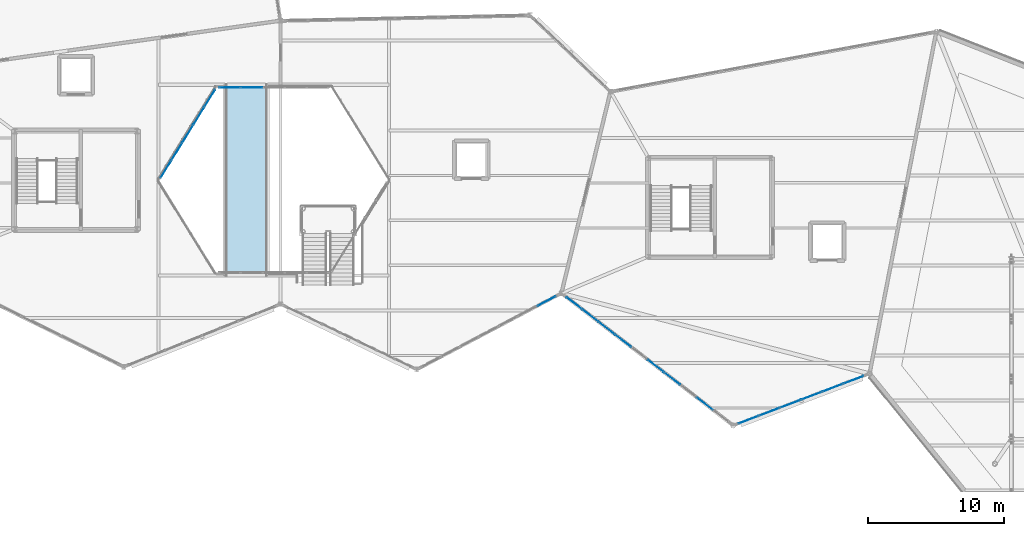
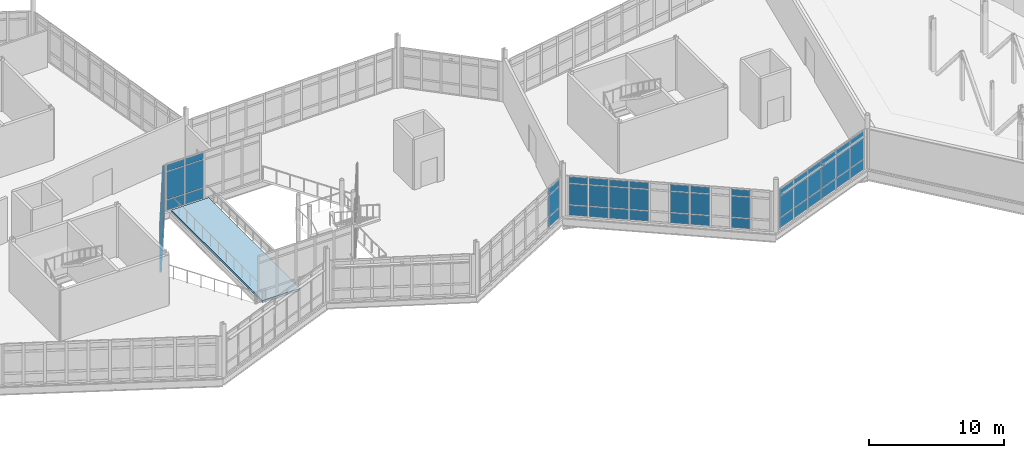
# One storey, part 72 of 114: 63 plates, 1 slab, 5 elements without a shape of their own.
"""IFC4 building model written with IfcOpenShell, lengths in metres."""

from ifc_helpers import new_model, si_unit, direction, frame, origin, origin_2d, place, context, subcontext, project, spatial, polyline, rectangle, outline, extrude, material, layer, layer_set, type_object, element, aggregate, save


model = new_model("IFC4")

# Units and contexts
model_context = context("Model", 3, precision=1e-05, world=origin(), true_north=direction((0.0, 1.0)))
body_context = subcontext(model_context, "Body", "Model", "MODEL_VIEW")
ifc_project = project(units=[si_unit("LENGTHUNIT", "METRE"), si_unit("AREAUNIT", "SQUARE_METRE"), si_unit("VOLUMEUNIT", "CUBIC_METRE"), si_unit("PLANEANGLEUNIT", "RADIAN"), si_unit("MASSUNIT", "GRAM", prefix="KILO")], contexts=[model_context])

# Site, building, storey
site_placement = place(None, origin())
site = spatial("IfcSite", under=ifc_project, at=site_placement, CompositionType="ELEMENT")
building_placement = place(site_placement, origin())
building = spatial("IfcBuilding", under=site, at=building_placement, Name="Tameran Prism Museum", CompositionType="ELEMENT")
storey_placement = place(building_placement, frame((0.0, 0.0, 10.199951171875)))
storey = spatial("IfcBuildingStorey", under=building, at=storey_placement, Name="L02", CompositionType="ELEMENT", Elevation=10.199951171875)

# Curtain wall, plates
ifc_material_1 = material(Name="Anodised Aluminium 6063-T6 and Cyclone Solar Glass", Category="aluminium")
curtain_wall_type_1 = type_object("IfcCurtainWallType", Name="CW-ATR-810x424", PredefinedType="USERDEFINED", material=ifc_material_1)
curtain_wall_1_placement = place(storey_placement, origin())
curtain_wall_1 = element("IfcCurtainWall", 1, at=curtain_wall_1_placement, inside=storey, type_object=curtain_wall_type_1, Name="Unitised Curtain Wall CW-009", ObjectType="UNITISED CURTAIN WALL", PredefinedType="USERDEFINED")
ifc_material_2 = material(Name="Low-E Laminated Solar Glass", Category="glass")
ifc_layer_1 = layer(ifc_material_2, 0.028076171875)
ifc_layer_set_1 = layer_set([ifc_layer_1])
plate_type_1 = type_object("IfcPlateType", Name="CW-PNL-G28", PredefinedType="CURTAIN_PANEL", material=ifc_layer_set_1)
plate_1_placement = place(storey_placement, frame((75.3798828125, 43.300048828125, 0.06494140625), z_axis=(0.0, 0.0, 1.0), x_axis=(-1.0, 0.0, 0.0)))
plate_1 = element("IfcPlate", 2, at=plate_1_placement, type_object=plate_type_1, Name="CW-009 panel 4.1", PredefinedType="CURTAIN_PANEL", context=body_context, shape_type="SweptSolid", body=[
    extrude(rectangle(XDim=1.554931640625, YDim=0.028076171875, at=origin_2d()), origin(), (0.0, 0.0, 1.0), 0.902587890625),
])
plate_2_placement = place(storey_placement, frame((75.3798828125, 43.300048828125, 1.032470703125), z_axis=(0.0, 0.0, 1.0), x_axis=(-1.0, 0.0, 0.0)))
plate_2 = element("IfcPlate", 3, at=plate_2_placement, type_object=plate_type_1, Name="CW-009 panel 4.2", PredefinedType="CURTAIN_PANEL", context=body_context, shape_type="SweptSolid", body=[
    extrude(rectangle(XDim=1.554931640625, YDim=0.028076171875, at=origin_2d()), origin(), (0.0, 0.0, 1.0), 2.4951171875),
])
plate_3_placement = place(storey_placement, frame((75.3798828125, 43.300048828125, 3.592529296875), z_axis=(0.0, 0.0, 1.0), x_axis=(-1.0, 0.0, 0.0)))
plate_3 = element("IfcPlate", 4, at=plate_3_placement, type_object=plate_type_1, Name="CW-009 panel 4.3", PredefinedType="CURTAIN_PANEL", context=body_context, shape_type="SweptSolid", body=[
    extrude(rectangle(XDim=1.554931640625, YDim=0.028076171875, at=origin_2d()), origin(), (0.0, 0.0, 1.0), 0.58251953125),
])
plate_4_placement = place(storey_placement, frame((73.7763671875, 43.300048828125, 0.06494140625), z_axis=(0.0, 0.0, 1.0), x_axis=(-1.0, 0.0, 0.0)))
plate_4 = element("IfcPlate", 5, at=plate_4_placement, type_object=plate_type_1, Name="CW-009 panel 5.1", PredefinedType="CURTAIN_PANEL", context=body_context, shape_type="SweptSolid", body=[
    extrude(rectangle(XDim=1.5224609375, YDim=0.028076171875, at=origin_2d()), origin(), (0.0, 0.0, 1.0), 0.902587890625),
])
plate_5_placement = place(storey_placement, frame((73.7763671875, 43.300048828125, 1.032470703125), z_axis=(0.0, 0.0, 1.0), x_axis=(-1.0, 0.0, 0.0)))
plate_5 = element("IfcPlate", 6, at=plate_5_placement, type_object=plate_type_1, Name="CW-009 panel 5.2", PredefinedType="CURTAIN_PANEL", context=body_context, shape_type="SweptSolid", body=[
    extrude(rectangle(XDim=1.5224609375, YDim=0.028076171875, at=origin_2d()), origin(), (0.0, 0.0, 1.0), 2.4951171875),
])
plate_6_placement = place(storey_placement, frame((73.7763671875, 43.300048828125, 3.592529296875), z_axis=(0.0, 0.0, 1.0), x_axis=(-1.0, 0.0, 0.0)))
plate_6 = element("IfcPlate", 7, at=plate_6_placement, type_object=plate_type_1, Name="CW-009 panel 5.3", PredefinedType="CURTAIN_PANEL", context=body_context, shape_type="SweptSolid", body=[
    extrude(rectangle(XDim=1.5224609375, YDim=0.028076171875, at=origin_2d()), origin(), (0.0, 0.0, 1.0), 0.58251953125),
])
aggregate(curtain_wall_1, [plate_1, plate_2, plate_3, plate_4, plate_5, plate_6])

ifc_material_3 = material(Name="Anodised Aluminium 6063-T6 and Cyclone Solar Glass", Category="aluminium")
curtain_wall_type_2 = type_object("IfcCurtainWallType", Name="CW-ATR-769x424", PredefinedType="USERDEFINED", material=ifc_material_3)
curtain_wall_2_placement = place(storey_placement, origin())
curtain_wall_2 = element("IfcCurtainWall", 8, at=curtain_wall_2_placement, inside=storey, type_object=curtain_wall_type_2, Name="Unitised Curtain Wall CW-010", ObjectType="UNITISED CURTAIN WALL", PredefinedType="USERDEFINED")
plate_7_placement = place(storey_placement, frame((72.308349609375, 42.503662109375, 0.06494140625), z_axis=(0.0, 0.0, 1.0), x_axis=(-0.525503952357, -0.850791158897, 0.0)))
plate_7 = element("IfcPlate", 9, at=plate_7_placement, type_object=plate_type_1, Name="CW-010 panel 1.1", PredefinedType="CURTAIN_PANEL", context=body_context, shape_type="SweptSolid", body=[
    extrude(rectangle(XDim=1.44091796875, YDim=0.028076171875, at=origin_2d()), origin(), (0.0, 0.0, 1.0), 0.902587890625),
])
plate_8_placement = place(storey_placement, frame((72.308349609375, 42.503662109375, 1.032470703125), z_axis=(0.0, 0.0, 1.0), x_axis=(-0.525503952357, -0.850791158897, 0.0)))
plate_8 = element("IfcPlate", 10, at=plate_8_placement, type_object=plate_type_1, Name="CW-010 panel 1.2", PredefinedType="CURTAIN_PANEL", context=body_context, shape_type="SweptSolid", body=[
    extrude(rectangle(XDim=1.44091796875, YDim=0.028076171875, at=origin_2d()), origin(), (0.0, 0.0, 1.0), 2.4951171875),
])
plate_9_placement = place(storey_placement, frame((72.308349609375, 42.503662109375, 3.592529296875), z_axis=(0.0, 0.0, 1.0), x_axis=(-0.525503952357, -0.850791158897, 0.0)))
plate_9 = element("IfcPlate", 11, at=plate_9_placement, type_object=plate_type_1, Name="CW-010 panel 1.3", PredefinedType="CURTAIN_PANEL", context=body_context, shape_type="SweptSolid", body=[
    extrude(rectangle(XDim=1.44091796875, YDim=0.028076171875, at=origin_2d()), origin(), (0.0, 0.0, 1.0), 0.58251953125),
])
plate_10_placement = place(storey_placement, frame((71.50830078125, 41.208740234375, 0.06494140625), z_axis=(0.0, 0.0, 1.0), x_axis=(-0.525503952357, -0.850791158897, 0.0)))
plate_10 = element("IfcPlate", 12, at=plate_10_placement, type_object=plate_type_1, Name="CW-010 panel 2.1", PredefinedType="CURTAIN_PANEL", context=body_context, shape_type="SweptSolid", body=[
    extrude(rectangle(XDim=1.473388671875, YDim=0.028076171875, at=origin_2d()), origin(), (0.0, 0.0, 1.0), 0.902587890625),
])
plate_11_placement = place(storey_placement, frame((71.50830078125, 41.208740234375, 1.032470703125), z_axis=(0.0, 0.0, 1.0), x_axis=(-0.525503952357, -0.850791158897, 0.0)))
plate_11 = element("IfcPlate", 13, at=plate_11_placement, type_object=plate_type_1, Name="CW-010 panel 2.2", PredefinedType="CURTAIN_PANEL", context=body_context, shape_type="SweptSolid", body=[
    extrude(rectangle(XDim=1.473388671875, YDim=0.028076171875, at=origin_2d()), origin(), (0.0, 0.0, 1.0), 2.4951171875),
])
plate_12_placement = place(storey_placement, frame((71.50830078125, 41.208740234375, 3.592529296875), z_axis=(0.0, 0.0, 1.0), x_axis=(-0.525503952357, -0.850791158897, 0.0)))
plate_12 = element("IfcPlate", 14, at=plate_12_placement, type_object=plate_type_1, Name="CW-010 panel 2.3", PredefinedType="CURTAIN_PANEL", context=body_context, shape_type="SweptSolid", body=[
    extrude(rectangle(XDim=1.473388671875, YDim=0.028076171875, at=origin_2d()), origin(), (0.0, 0.0, 1.0), 0.58251953125),
])
plate_13_placement = place(storey_placement, frame((70.699951171875, 39.89990234375, 0.06494140625), z_axis=(0.0, 0.0, 1.0), x_axis=(-0.525503952357, -0.850791158897, 0.0)))
plate_13 = element("IfcPlate", 15, at=plate_13_placement, type_object=plate_type_1, Name="CW-010 panel 3.1", PredefinedType="CURTAIN_PANEL", context=body_context, shape_type="SweptSolid", body=[
    extrude(rectangle(XDim=1.473388671875, YDim=0.028076171875, at=origin_2d()), origin(), (0.0, 0.0, 1.0), 0.902587890625),
])
plate_14_placement = place(storey_placement, frame((70.699951171875, 39.89990234375, 1.032470703125), z_axis=(0.0, 0.0, 1.0), x_axis=(-0.525503952357, -0.850791158897, 0.0)))
plate_14 = element("IfcPlate", 16, at=plate_14_placement, type_object=plate_type_1, Name="CW-010 panel 3.2", PredefinedType="CURTAIN_PANEL", context=body_context, shape_type="SweptSolid", body=[
    extrude(rectangle(XDim=1.473388671875, YDim=0.028076171875, at=origin_2d()), origin(), (0.0, 0.0, 1.0), 2.4951171875),
])
plate_15_placement = place(storey_placement, frame((70.699951171875, 39.89990234375, 3.592529296875), z_axis=(0.0, 0.0, 1.0), x_axis=(-0.525503952357, -0.850791158897, 0.0)))
plate_15 = element("IfcPlate", 17, at=plate_15_placement, type_object=plate_type_1, Name="CW-010 panel 3.3", PredefinedType="CURTAIN_PANEL", context=body_context, shape_type="SweptSolid", body=[
    extrude(rectangle(XDim=1.473388671875, YDim=0.028076171875, at=origin_2d()), origin(), (0.0, 0.0, 1.0), 0.58251953125),
])
plate_16_placement = place(storey_placement, frame((69.8916015625, 38.59130859375, 0.06494140625), z_axis=(0.0, 0.0, 1.0), x_axis=(-0.525503952357, -0.850791158897, 0.0)))
plate_16 = element("IfcPlate", 18, at=plate_16_placement, type_object=plate_type_1, Name="CW-010 panel 4.1", PredefinedType="CURTAIN_PANEL", context=body_context, shape_type="SweptSolid", body=[
    extrude(rectangle(XDim=1.473388671875, YDim=0.028076171875, at=origin_2d()), origin(), (0.0, 0.0, 1.0), 0.902587890625),
])
plate_17_placement = place(storey_placement, frame((69.8916015625, 38.59130859375, 1.032470703125), z_axis=(0.0, 0.0, 1.0), x_axis=(-0.525503952357, -0.850791158897, 0.0)))
plate_17 = element("IfcPlate", 19, at=plate_17_placement, type_object=plate_type_1, Name="CW-010 panel 4.2", PredefinedType="CURTAIN_PANEL", context=body_context, shape_type="SweptSolid", body=[
    extrude(rectangle(XDim=1.473388671875, YDim=0.028076171875, at=origin_2d()), origin(), (0.0, 0.0, 1.0), 2.4951171875),
])
plate_18_placement = place(storey_placement, frame((69.8916015625, 38.59130859375, 3.592529296875), z_axis=(0.0, 0.0, 1.0), x_axis=(-0.525503952357, -0.850791158897, 0.0)))
plate_18 = element("IfcPlate", 20, at=plate_18_placement, type_object=plate_type_1, Name="CW-010 panel 4.3", PredefinedType="CURTAIN_PANEL", context=body_context, shape_type="SweptSolid", body=[
    extrude(rectangle(XDim=1.473388671875, YDim=0.028076171875, at=origin_2d()), origin(), (0.0, 0.0, 1.0), 0.58251953125),
])
plate_19_placement = place(storey_placement, frame((69.091796875, 37.296142578125, 0.06494140625), z_axis=(0.0, 0.0, 1.0), x_axis=(-0.525503952357, -0.850791158897, 0.0)))
plate_19 = element("IfcPlate", 21, at=plate_19_placement, type_object=plate_type_1, Name="CW-010 panel 5.1", PredefinedType="CURTAIN_PANEL", context=body_context, shape_type="SweptSolid", body=[
    extrude(rectangle(XDim=1.44091796875, YDim=0.028076171875, at=origin_2d()), origin(), (0.0, 0.0, 1.0), 0.902587890625),
])
plate_20_placement = place(storey_placement, frame((69.091796875, 37.296142578125, 1.032470703125), z_axis=(0.0, 0.0, 1.0), x_axis=(-0.525503952357, -0.850791158897, 0.0)))
plate_20 = element("IfcPlate", 22, at=plate_20_placement, type_object=plate_type_1, Name="CW-010 panel 5.2", PredefinedType="CURTAIN_PANEL", context=body_context, shape_type="SweptSolid", body=[
    extrude(rectangle(XDim=1.44091796875, YDim=0.028076171875, at=origin_2d()), origin(), (0.0, 0.0, 1.0), 2.4951171875),
])
plate_21_placement = place(storey_placement, frame((69.091796875, 37.296142578125, 3.592529296875), z_axis=(0.0, 0.0, 1.0), x_axis=(-0.525503952357, -0.850791158897, 0.0)))
plate_21 = element("IfcPlate", 23, at=plate_21_placement, type_object=plate_type_1, Name="CW-010 panel 5.3", PredefinedType="CURTAIN_PANEL", context=body_context, shape_type="SweptSolid", body=[
    extrude(rectangle(XDim=1.44091796875, YDim=0.028076171875, at=origin_2d()), origin(), (0.0, 0.0, 1.0), 0.58251953125),
])
aggregate(curtain_wall_2, [plate_7, plate_8, plate_9, plate_10, plate_11, plate_12, plate_13, plate_14, plate_15, plate_16, plate_17, plate_18, plate_19, plate_20, plate_21])

ifc_material_4 = material(Name="Anodised Aluminium 6063-T6 and Cyclone Solar Glass", Category="aluminium")
curtain_wall_type_3 = type_object("IfcCurtainWallType", Name="CW-FAC-1123x362", PredefinedType="USERDEFINED", material=ifc_material_4)
curtain_wall_3_placement = place(storey_placement, origin())
curtain_wall_3 = element("IfcCurtainWall", 24, at=curtain_wall_3_placement, inside=storey, type_object=curtain_wall_type_3, Name="Unitised Curtain Wall CW-110", ObjectType="UNITISED CURTAIN WALL", PredefinedType="USERDEFINED")
plate_22_placement = place(storey_placement, frame((97.010986328125, 27.625, 0.080078125), z_axis=(0.0, 0.0, 1.0), x_axis=(-0.884175340483, -0.467155185438, 0.0)))
plate_22 = element("IfcPlate", 25, at=plate_22_placement, type_object=plate_type_1, Name="CW-110 panel 1.1", PredefinedType="CURTAIN_PANEL", context=body_context, shape_type="SweptSolid", body=[
    extrude(rectangle(XDim=1.484130859375, YDim=0.028076171875, at=origin_2d()), origin(), (0.0, 0.0, 1.0), 0.8798828125),
])
plate_23_placement = place(storey_placement, frame((97.010986328125, 27.625, 1.0400390625), z_axis=(0.0, 0.0, 1.0), x_axis=(-0.884175340483, -0.467155185438, 0.0)))
plate_23 = element("IfcPlate", 26, at=plate_23_placement, type_object=plate_type_1, Name="CW-110 panel 1.2", PredefinedType="CURTAIN_PANEL", context=body_context, shape_type="SweptSolid", body=[
    extrude(rectangle(XDim=1.484130859375, YDim=0.028076171875, at=origin_2d()), origin(), (0.0, 0.0, 1.0), 1.860107421875),
])
plate_24_placement = place(storey_placement, frame((97.010986328125, 27.625, 2.97998046875), z_axis=(0.0, 0.0, 1.0), x_axis=(-0.884175340483, -0.467155185438, 0.0)))
plate_24 = element("IfcPlate", 27, at=plate_24_placement, type_object=plate_type_1, Name="CW-110 panel 1.3", PredefinedType="CURTAIN_PANEL", context=body_context, shape_type="SweptSolid", body=[
    extrude(rectangle(XDim=1.484130859375, YDim=0.028076171875, at=origin_2d()), origin(), (0.0, 0.0, 1.0), 0.56005859375),
])
aggregate(curtain_wall_3, [plate_22, plate_23, plate_24])

ifc_material_5 = material(Name="Anodised Aluminium 6063-T6 and Cyclone Solar Glass", Category="aluminium")
curtain_wall_type_4 = type_object("IfcCurtainWallType", Name="CW-FAC-994x362", PredefinedType="USERDEFINED", material=ifc_material_5)
curtain_wall_4_placement = place(storey_placement, origin())
curtain_wall_4 = element("IfcCurtainWall", 28, at=curtain_wall_4_placement, inside=storey, type_object=curtain_wall_type_4, Name="Unitised Curtain Wall CW-117", ObjectType="UNITISED CURTAIN WALL", PredefinedType="USERDEFINED")
plate_25_placement = place(storey_placement, frame((119.525390625, 21.85400390625, 0.0751953125), z_axis=(0.0, 0.0, 1.0), x_axis=(-0.934756849189, -0.355288098442, 0.0)))
plate_25 = element("IfcPlate", 29, at=plate_25_placement, type_object=plate_type_1, Name="CW-117 panel 1.1", PredefinedType="CURTAIN_PANEL", context=body_context, shape_type="SweptSolid", body=[
    extrude(rectangle(XDim=1.5439453125, YDim=0.028076171875, at=origin_2d()), origin(), (0.0, 0.0, 1.0), 0.887451171875),
])
plate_26_placement = place(storey_placement, frame((119.525390625, 21.85400390625, 1.03759765625), z_axis=(0.0, 0.0, 1.0), x_axis=(-0.934756849189, -0.355288098442, 0.0)))
plate_26 = element("IfcPlate", 30, at=plate_26_placement, type_object=plate_type_1, Name="CW-117 panel 1.2", PredefinedType="CURTAIN_PANEL", context=body_context, shape_type="SweptSolid", body=[
    extrude(rectangle(XDim=1.5439453125, YDim=0.028076171875, at=origin_2d()), origin(), (0.0, 0.0, 1.0), 1.864990234375),
])
plate_27_placement = place(storey_placement, frame((119.525390625, 21.85400390625, 2.9775390625), z_axis=(0.0, 0.0, 1.0), x_axis=(-0.934756849189, -0.355288098442, 0.0)))
plate_27 = element("IfcPlate", 31, at=plate_27_placement, type_object=plate_type_1, Name="CW-117 panel 1.3", PredefinedType="CURTAIN_PANEL", context=body_context, shape_type="SweptSolid", body=[
    extrude(rectangle(XDim=1.5439453125, YDim=0.028076171875, at=origin_2d()), origin(), (0.0, 0.0, 1.0), 0.5673828125),
])
plate_28_placement = place(storey_placement, frame((117.994384765625, 21.272216796875, 0.0751953125), z_axis=(0.0, 0.0, 1.0), x_axis=(-0.934756849189, -0.355288098442, 0.0)))
plate_28 = element("IfcPlate", 32, at=plate_28_placement, type_object=plate_type_1, Name="CW-117 panel 2.1", PredefinedType="CURTAIN_PANEL", context=body_context, shape_type="SweptSolid", body=[
    extrude(rectangle(XDim=1.581298828125, YDim=0.028076171875, at=origin_2d()), origin(), (0.0, 0.0, 1.0), 0.887451171875),
])
plate_29_placement = place(storey_placement, frame((117.994384765625, 21.272216796875, 1.03759765625), z_axis=(0.0, 0.0, 1.0), x_axis=(-0.934756849189, -0.355288098442, 0.0)))
plate_29 = element("IfcPlate", 33, at=plate_29_placement, type_object=plate_type_1, Name="CW-117 panel 2.2", PredefinedType="CURTAIN_PANEL", context=body_context, shape_type="SweptSolid", body=[
    extrude(rectangle(XDim=1.581298828125, YDim=0.028076171875, at=origin_2d()), origin(), (0.0, 0.0, 1.0), 1.864990234375),
])
plate_30_placement = place(storey_placement, frame((117.994384765625, 21.272216796875, 2.9775390625), z_axis=(0.0, 0.0, 1.0), x_axis=(-0.934756849189, -0.355288098442, 0.0)))
plate_30 = element("IfcPlate", 34, at=plate_30_placement, type_object=plate_type_1, Name="CW-117 panel 2.3", PredefinedType="CURTAIN_PANEL", context=body_context, shape_type="SweptSolid", body=[
    extrude(rectangle(XDim=1.581298828125, YDim=0.028076171875, at=origin_2d()), origin(), (0.0, 0.0, 1.0), 0.5673828125),
])
plate_31_placement = place(storey_placement, frame((116.446044921875, 20.683837890625, 0.0751953125), z_axis=(0.0, 0.0, 1.0), x_axis=(-0.934756849189, -0.355288098442, 0.0)))
plate_31 = element("IfcPlate", 35, at=plate_31_placement, type_object=plate_type_1, Name="CW-117 panel 3.1", PredefinedType="CURTAIN_PANEL", context=body_context, shape_type="SweptSolid", body=[
    extrude(rectangle(XDim=1.581298828125, YDim=0.028076171875, at=origin_2d()), origin(), (0.0, 0.0, 1.0), 0.887451171875),
])
plate_32_placement = place(storey_placement, frame((116.446044921875, 20.683837890625, 1.03759765625), z_axis=(0.0, 0.0, 1.0), x_axis=(-0.934756849189, -0.355288098442, 0.0)))
plate_32 = element("IfcPlate", 36, at=plate_32_placement, type_object=plate_type_1, Name="CW-117 panel 3.2", PredefinedType="CURTAIN_PANEL", context=body_context, shape_type="SweptSolid", body=[
    extrude(rectangle(XDim=1.581298828125, YDim=0.028076171875, at=origin_2d()), origin(), (0.0, 0.0, 1.0), 1.864990234375),
])
plate_33_placement = place(storey_placement, frame((116.446044921875, 20.683837890625, 2.9775390625), z_axis=(0.0, 0.0, 1.0), x_axis=(-0.934756849189, -0.355288098442, 0.0)))
plate_33 = element("IfcPlate", 37, at=plate_33_placement, type_object=plate_type_1, Name="CW-117 panel 3.3", PredefinedType="CURTAIN_PANEL", context=body_context, shape_type="SweptSolid", body=[
    extrude(rectangle(XDim=1.581298828125, YDim=0.028076171875, at=origin_2d()), origin(), (0.0, 0.0, 1.0), 0.5673828125),
])
plate_34_placement = place(storey_placement, frame((114.89794921875, 20.09521484375, 0.0751953125), z_axis=(0.0, 0.0, 1.0), x_axis=(-0.934756849189, -0.355288098442, 0.0)))
plate_34 = element("IfcPlate", 38, at=plate_34_placement, type_object=plate_type_1, Name="CW-117 panel 4.1", PredefinedType="CURTAIN_PANEL", context=body_context, shape_type="SweptSolid", body=[
    extrude(rectangle(XDim=1.581298828125, YDim=0.028076171875, at=origin_2d()), origin(), (0.0, 0.0, 1.0), 0.887451171875),
])
plate_35_placement = place(storey_placement, frame((114.89794921875, 20.09521484375, 1.03759765625), z_axis=(0.0, 0.0, 1.0), x_axis=(-0.934756849189, -0.355288098442, 0.0)))
plate_35 = element("IfcPlate", 39, at=plate_35_placement, type_object=plate_type_1, Name="CW-117 panel 4.2", PredefinedType="CURTAIN_PANEL", context=body_context, shape_type="SweptSolid", body=[
    extrude(rectangle(XDim=1.581298828125, YDim=0.028076171875, at=origin_2d()), origin(), (0.0, 0.0, 1.0), 1.864990234375),
])
plate_36_placement = place(storey_placement, frame((114.89794921875, 20.09521484375, 2.9775390625), z_axis=(0.0, 0.0, 1.0), x_axis=(-0.934756849189, -0.355288098442, 0.0)))
plate_36 = element("IfcPlate", 40, at=plate_36_placement, type_object=plate_type_1, Name="CW-117 panel 4.3", PredefinedType="CURTAIN_PANEL", context=body_context, shape_type="SweptSolid", body=[
    extrude(rectangle(XDim=1.581298828125, YDim=0.028076171875, at=origin_2d()), origin(), (0.0, 0.0, 1.0), 0.5673828125),
])
plate_37_placement = place(storey_placement, frame((113.349609375, 19.5068359375, 0.0751953125), z_axis=(0.0, 0.0, 1.0), x_axis=(-0.934756849189, -0.355288098442, 0.0)))
plate_37 = element("IfcPlate", 41, at=plate_37_placement, type_object=plate_type_1, Name="CW-117 panel 5.1", PredefinedType="CURTAIN_PANEL", context=body_context, shape_type="SweptSolid", body=[
    extrude(rectangle(XDim=1.581298828125, YDim=0.028076171875, at=origin_2d()), origin(), (0.0, 0.0, 1.0), 0.887451171875),
])
plate_38_placement = place(storey_placement, frame((113.349609375, 19.5068359375, 1.03759765625), z_axis=(0.0, 0.0, 1.0), x_axis=(-0.934756849189, -0.355288098442, 0.0)))
plate_38 = element("IfcPlate", 42, at=plate_38_placement, type_object=plate_type_1, Name="CW-117 panel 5.2", PredefinedType="CURTAIN_PANEL", context=body_context, shape_type="SweptSolid", body=[
    extrude(rectangle(XDim=1.581298828125, YDim=0.028076171875, at=origin_2d()), origin(), (0.0, 0.0, 1.0), 1.864990234375),
])
plate_39_placement = place(storey_placement, frame((113.349609375, 19.5068359375, 2.9775390625), z_axis=(0.0, 0.0, 1.0), x_axis=(-0.934756849189, -0.355288098442, 0.0)))
plate_39 = element("IfcPlate", 43, at=plate_39_placement, type_object=plate_type_1, Name="CW-117 panel 5.3", PredefinedType="CURTAIN_PANEL", context=body_context, shape_type="SweptSolid", body=[
    extrude(rectangle(XDim=1.581298828125, YDim=0.028076171875, at=origin_2d()), origin(), (0.0, 0.0, 1.0), 0.5673828125),
])
plate_40_placement = place(storey_placement, frame((111.818603515625, 18.9248046875, 0.0751953125), z_axis=(0.0, 0.0, 1.0), x_axis=(-0.934756849189, -0.355288098442, 0.0)))
plate_40 = element("IfcPlate", 44, at=plate_40_placement, type_object=plate_type_1, Name="CW-117 panel 6.1", PredefinedType="CURTAIN_PANEL", context=body_context, shape_type="SweptSolid", body=[
    extrude(rectangle(XDim=1.5439453125, YDim=0.028076171875, at=origin_2d()), origin(), (0.0, 0.0, 1.0), 0.887451171875),
])
plate_41_placement = place(storey_placement, frame((111.818603515625, 18.9248046875, 1.03759765625), z_axis=(0.0, 0.0, 1.0), x_axis=(-0.934756849189, -0.355288098442, 0.0)))
plate_41 = element("IfcPlate", 45, at=plate_41_placement, type_object=plate_type_1, Name="CW-117 panel 6.2", PredefinedType="CURTAIN_PANEL", context=body_context, shape_type="SweptSolid", body=[
    extrude(rectangle(XDim=1.5439453125, YDim=0.028076171875, at=origin_2d()), origin(), (0.0, 0.0, 1.0), 1.864990234375),
])
plate_42_placement = place(storey_placement, frame((111.818603515625, 18.9248046875, 2.9775390625), z_axis=(0.0, 0.0, 1.0), x_axis=(-0.934756849189, -0.355288098442, 0.0)))
plate_42 = element("IfcPlate", 46, at=plate_42_placement, type_object=plate_type_1, Name="CW-117 panel 6.3", PredefinedType="CURTAIN_PANEL", context=body_context, shape_type="SweptSolid", body=[
    extrude(rectangle(XDim=1.5439453125, YDim=0.028076171875, at=origin_2d()), origin(), (0.0, 0.0, 1.0), 0.5673828125),
])
aggregate(curtain_wall_4, [plate_25, plate_26, plate_27, plate_28, plate_29, plate_30, plate_31, plate_32, plate_33, plate_34, plate_35, plate_36, plate_37, plate_38, plate_39, plate_40, plate_41, plate_42])

ifc_material_6 = material(Name="Anodised Aluminium 6063-T6 and Cyclone Solar Glass", Category="aluminium")
curtain_wall_type_5 = type_object("IfcCurtainWallType", Name="CW-FAC-1514x362", PredefinedType="USERDEFINED", material=ifc_material_6)
curtain_wall_5_placement = place(storey_placement, origin())
curtain_wall_5 = element("IfcCurtainWall", 47, at=curtain_wall_5_placement, inside=storey, type_object=curtain_wall_type_5, Name="Unitised Curtain Wall CW-116", ObjectType="UNITISED CURTAIN WALL", PredefinedType="USERDEFINED")
ifc_material_7 = material(Name="Cyclone Laminated Solar Glass", Category="glass")
ifc_layer_2 = layer(ifc_material_7, 0.031982421875)
ifc_layer_set_2 = layer_set([ifc_layer_2])
plate_type_2 = type_object("IfcPlateType", Name="CW-PNL-G32", PredefinedType="CURTAIN_PANEL", material=ifc_layer_set_2)
plate_43_placement = place(storey_placement, frame((108.623046875, 20.0986328125, 0.070068359375), z_axis=(0.0, 0.0, 1.0), x_axis=(-0.79240053299, 0.610001143702, 0.0)))
plate_43 = element("IfcPlate", 48, at=plate_43_placement, type_object=plate_type_2, Name="CW-116 panel 2.1", PredefinedType="CURTAIN_PANEL", context=body_context, shape_type="SweptSolid", body=[
    extrude(rectangle(XDim=1.4443359375, YDim=0.031982421875, at=origin_2d()), origin(), (0.0, 0.0, 1.0), 0.89501953125),
])
plate_44_placement = place(storey_placement, frame((108.623046875, 20.0986328125, 1.034912109375), z_axis=(0.0, 0.0, 1.0), x_axis=(-0.79240053299, 0.610001143702, 0.0)))
plate_44 = element("IfcPlate", 49, at=plate_44_placement, type_object=plate_type_2, Name="CW-116 panel 2.2", PredefinedType="CURTAIN_PANEL", context=body_context, shape_type="SweptSolid", body=[
    extrude(rectangle(XDim=1.4443359375, YDim=0.031982421875, at=origin_2d()), origin(), (0.0, 0.0, 1.0), 1.8701171875),
])
plate_45_placement = place(storey_placement, frame((108.623046875, 20.0986328125, 2.97509765625), z_axis=(0.0, 0.0, 1.0), x_axis=(-0.79240053299, 0.610001143702, 0.0)))
plate_45 = element("IfcPlate", 50, at=plate_45_placement, type_object=plate_type_2, Name="CW-116 panel 2.3", PredefinedType="CURTAIN_PANEL", context=body_context, shape_type="SweptSolid", body=[
    extrude(rectangle(XDim=1.4443359375, YDim=0.031982421875, at=origin_2d()), origin(), (0.0, 0.0, 1.0), 0.574951171875),
])
plate_46_placement = place(storey_placement, frame((106.223388671875, 21.946044921875, 0.070068359375), z_axis=(0.0, 0.0, 1.0), x_axis=(-0.79240053299, 0.610001143702, 0.0)))
plate_46 = element("IfcPlate", 51, at=plate_46_placement, type_object=plate_type_2, Name="CW-116 panel 4.1", PredefinedType="CURTAIN_PANEL", context=body_context, shape_type="SweptSolid", body=[
    extrude(rectangle(XDim=1.4443359375, YDim=0.031982421875, at=origin_2d()), origin(), (0.0, 0.0, 1.0), 0.89501953125),
])
plate_47_placement = place(storey_placement, frame((106.223388671875, 21.946044921875, 1.034912109375), z_axis=(0.0, 0.0, 1.0), x_axis=(-0.79240053299, 0.610001143702, 0.0)))
plate_47 = element("IfcPlate", 52, at=plate_47_placement, type_object=plate_type_2, Name="CW-116 panel 4.2", PredefinedType="CURTAIN_PANEL", context=body_context, shape_type="SweptSolid", body=[
    extrude(rectangle(XDim=1.4443359375, YDim=0.031982421875, at=origin_2d()), origin(), (0.0, 0.0, 1.0), 1.8701171875),
])
plate_48_placement = place(storey_placement, frame((106.223388671875, 21.946044921875, 2.97509765625), z_axis=(0.0, 0.0, 1.0), x_axis=(-0.79240053299, 0.610001143702, 0.0)))
plate_48 = element("IfcPlate", 53, at=plate_48_placement, type_object=plate_type_2, Name="CW-116 panel 4.3", PredefinedType="CURTAIN_PANEL", context=body_context, shape_type="SweptSolid", body=[
    extrude(rectangle(XDim=1.4443359375, YDim=0.031982421875, at=origin_2d()), origin(), (0.0, 0.0, 1.0), 0.574951171875),
])
plate_49_placement = place(storey_placement, frame((105.0234375, 22.86962890625, 0.070068359375), z_axis=(0.0, 0.0, 1.0), x_axis=(-0.79240053299, 0.610001143702, 0.0)))
plate_49 = element("IfcPlate", 54, at=plate_49_placement, type_object=plate_type_2, Name="CW-116 panel 5.1", PredefinedType="CURTAIN_PANEL", context=body_context, shape_type="SweptSolid", body=[
    extrude(rectangle(XDim=1.4443359375, YDim=0.031982421875, at=origin_2d()), origin(), (0.0, 0.0, 1.0), 0.89501953125),
])
plate_50_placement = place(storey_placement, frame((105.0234375, 22.86962890625, 1.034912109375), z_axis=(0.0, 0.0, 1.0), x_axis=(-0.79240053299, 0.610001143702, 0.0)))
plate_50 = element("IfcPlate", 55, at=plate_50_placement, type_object=plate_type_2, Name="CW-116 panel 5.2", PredefinedType="CURTAIN_PANEL", context=body_context, shape_type="SweptSolid", body=[
    extrude(rectangle(XDim=1.4443359375, YDim=0.031982421875, at=origin_2d()), origin(), (0.0, 0.0, 1.0), 1.8701171875),
])
plate_51_placement = place(storey_placement, frame((105.0234375, 22.86962890625, 2.97509765625), z_axis=(0.0, 0.0, 1.0), x_axis=(-0.79240053299, 0.610001143702, 0.0)))
plate_51 = element("IfcPlate", 56, at=plate_51_placement, type_object=plate_type_2, Name="CW-116 panel 5.3", PredefinedType="CURTAIN_PANEL", context=body_context, shape_type="SweptSolid", body=[
    extrude(rectangle(XDim=1.4443359375, YDim=0.031982421875, at=origin_2d()), origin(), (0.0, 0.0, 1.0), 0.574951171875),
])
plate_52_placement = place(storey_placement, frame((102.62353515625, 24.717041015625, 0.070068359375), z_axis=(0.0, 0.0, 1.0), x_axis=(-0.79240053299, 0.610001143702, 0.0)))
plate_52 = element("IfcPlate", 57, at=plate_52_placement, type_object=plate_type_2, Name="CW-116 panel 7.1", PredefinedType="CURTAIN_PANEL", context=body_context, shape_type="SweptSolid", body=[
    extrude(rectangle(XDim=1.4443359375, YDim=0.031982421875, at=origin_2d()), origin(), (0.0, 0.0, 1.0), 0.89501953125),
])
plate_53_placement = place(storey_placement, frame((102.62353515625, 24.717041015625, 1.034912109375), z_axis=(0.0, 0.0, 1.0), x_axis=(-0.79240053299, 0.610001143702, 0.0)))
plate_53 = element("IfcPlate", 58, at=plate_53_placement, type_object=plate_type_2, Name="CW-116 panel 7.2", PredefinedType="CURTAIN_PANEL", context=body_context, shape_type="SweptSolid", body=[
    extrude(rectangle(XDim=1.4443359375, YDim=0.031982421875, at=origin_2d()), origin(), (0.0, 0.0, 1.0), 1.8701171875),
])
plate_54_placement = place(storey_placement, frame((102.62353515625, 24.717041015625, 2.97509765625), z_axis=(0.0, 0.0, 1.0), x_axis=(-0.79240053299, 0.610001143702, 0.0)))
plate_54 = element("IfcPlate", 59, at=plate_54_placement, type_object=plate_type_2, Name="CW-116 panel 7.3", PredefinedType="CURTAIN_PANEL", context=body_context, shape_type="SweptSolid", body=[
    extrude(rectangle(XDim=1.4443359375, YDim=0.031982421875, at=origin_2d()), origin(), (0.0, 0.0, 1.0), 0.574951171875),
])
plate_55_placement = place(storey_placement, frame((101.423828125, 25.640869140625, 0.070068359375), z_axis=(0.0, 0.0, 1.0), x_axis=(-0.79240053299, 0.610001143702, 0.0)))
plate_55 = element("IfcPlate", 60, at=plate_55_placement, type_object=plate_type_2, Name="CW-116 panel 8.1", PredefinedType="CURTAIN_PANEL", context=body_context, shape_type="SweptSolid", body=[
    extrude(rectangle(XDim=1.4443359375, YDim=0.031982421875, at=origin_2d()), origin(), (0.0, 0.0, 1.0), 0.89501953125),
])
plate_56_placement = place(storey_placement, frame((101.423828125, 25.640869140625, 1.034912109375), z_axis=(0.0, 0.0, 1.0), x_axis=(-0.79240053299, 0.610001143702, 0.0)))
plate_56 = element("IfcPlate", 61, at=plate_56_placement, type_object=plate_type_2, Name="CW-116 panel 8.2", PredefinedType="CURTAIN_PANEL", context=body_context, shape_type="SweptSolid", body=[
    extrude(rectangle(XDim=1.4443359375, YDim=0.031982421875, at=origin_2d()), origin(), (0.0, 0.0, 1.0), 1.8701171875),
])
plate_57_placement = place(storey_placement, frame((101.423828125, 25.640869140625, 2.97509765625), z_axis=(0.0, 0.0, 1.0), x_axis=(-0.79240053299, 0.610001143702, 0.0)))
plate_57 = element("IfcPlate", 62, at=plate_57_placement, type_object=plate_type_2, Name="CW-116 panel 8.3", PredefinedType="CURTAIN_PANEL", context=body_context, shape_type="SweptSolid", body=[
    extrude(rectangle(XDim=1.4443359375, YDim=0.031982421875, at=origin_2d()), origin(), (0.0, 0.0, 1.0), 0.574951171875),
])
plate_58_placement = place(storey_placement, frame((100.223876953125, 26.564453125, 0.070068359375), z_axis=(0.0, 0.0, 1.0), x_axis=(-0.79240053299, 0.610001143702, 0.0)))
plate_58 = element("IfcPlate", 63, at=plate_58_placement, type_object=plate_type_2, Name="CW-116 panel 9.1", PredefinedType="CURTAIN_PANEL", context=body_context, shape_type="SweptSolid", body=[
    extrude(rectangle(XDim=1.4443359375, YDim=0.031982421875, at=origin_2d()), origin(), (0.0, 0.0, 1.0), 0.89501953125),
])
plate_59_placement = place(storey_placement, frame((100.223876953125, 26.564453125, 1.034912109375), z_axis=(0.0, 0.0, 1.0), x_axis=(-0.79240053299, 0.610001143702, 0.0)))
plate_59 = element("IfcPlate", 64, at=plate_59_placement, type_object=plate_type_2, Name="CW-116 panel 9.2", PredefinedType="CURTAIN_PANEL", context=body_context, shape_type="SweptSolid", body=[
    extrude(rectangle(XDim=1.4443359375, YDim=0.031982421875, at=origin_2d()), origin(), (0.0, 0.0, 1.0), 1.8701171875),
])
plate_60_placement = place(storey_placement, frame((100.223876953125, 26.564453125, 2.97509765625), z_axis=(0.0, 0.0, 1.0), x_axis=(-0.79240053299, 0.610001143702, 0.0)))
plate_60 = element("IfcPlate", 65, at=plate_60_placement, type_object=plate_type_2, Name="CW-116 panel 9.3", PredefinedType="CURTAIN_PANEL", context=body_context, shape_type="SweptSolid", body=[
    extrude(rectangle(XDim=1.4443359375, YDim=0.031982421875, at=origin_2d()), origin(), (0.0, 0.0, 1.0), 0.574951171875),
])
plate_61_placement = place(storey_placement, frame((99.037841796875, 27.4775390625, 0.070068359375), z_axis=(0.0, 0.0, 1.0), x_axis=(-0.79240053299, 0.610001143702, 0.0)))
plate_61 = element("IfcPlate", 66, at=plate_61_placement, type_object=plate_type_2, Name="CW-116 panel 10.1", PredefinedType="CURTAIN_PANEL", context=body_context, shape_type="SweptSolid", body=[
    extrude(rectangle(XDim=1.4091796875, YDim=0.031982421875, at=origin_2d()), origin(), (0.0, 0.0, 1.0), 0.89501953125),
])
plate_62_placement = place(storey_placement, frame((99.037841796875, 27.4775390625, 1.034912109375), z_axis=(0.0, 0.0, 1.0), x_axis=(-0.79240053299, 0.610001143702, 0.0)))
plate_62 = element("IfcPlate", 67, at=plate_62_placement, type_object=plate_type_2, Name="CW-116 panel 10.2", PredefinedType="CURTAIN_PANEL", context=body_context, shape_type="SweptSolid", body=[
    extrude(rectangle(XDim=1.4091796875, YDim=0.031982421875, at=origin_2d()), origin(), (0.0, 0.0, 1.0), 1.8701171875),
])
plate_63_placement = place(storey_placement, frame((99.037841796875, 27.4775390625, 2.97509765625), z_axis=(0.0, 0.0, 1.0), x_axis=(-0.79240053299, 0.610001143702, 0.0)))
plate_63 = element("IfcPlate", 68, at=plate_63_placement, type_object=plate_type_2, Name="CW-116 panel 10.3", PredefinedType="CURTAIN_PANEL", context=body_context, shape_type="SweptSolid", body=[
    extrude(rectangle(XDim=1.4091796875, YDim=0.031982421875, at=origin_2d()), origin(), (0.0, 0.0, 1.0), 0.574951171875),
])
aggregate(curtain_wall_5, [plate_43, plate_44, plate_45, plate_46, plate_47, plate_48, plate_49, plate_50, plate_51, plate_52, plate_53, plate_54, plate_55, plate_56, plate_57, plate_58, plate_59, plate_60, plate_61, plate_62, plate_63])

# Slab
ifc_material_8 = material(Name="Concrete N32 (32 MPa)", Category="concrete")
ifc_layer_3 = layer(ifc_material_8, 0.18994140625)
ifc_layer_set_3 = layer_set([ifc_layer_3])
slab_type = type_object("IfcSlabType", Name="SL-FLR-190", PredefinedType="FLOOR", material=ifc_layer_set_3)
slab_placement = place(storey_placement, frame((0.0, 0.0, -0.18994140625)))
element("IfcSlab", 69, at=slab_placement, inside=storey, type_object=slab_type, Name="Atrium Bridge Deck L02", PredefinedType="FLOOR", context=body_context, shape_type="SweptSolid", body=[
    extrude(outline(polyline([(73.39990234375, 29.75), (73.39990234375, 43.25), (76.60009765625, 43.25), (76.60009765625, 29.75), (73.39990234375, 29.75)])), origin(), (0.0, 0.0, 1.0), 0.18994140625),
])

save(model, "model.ifc")
